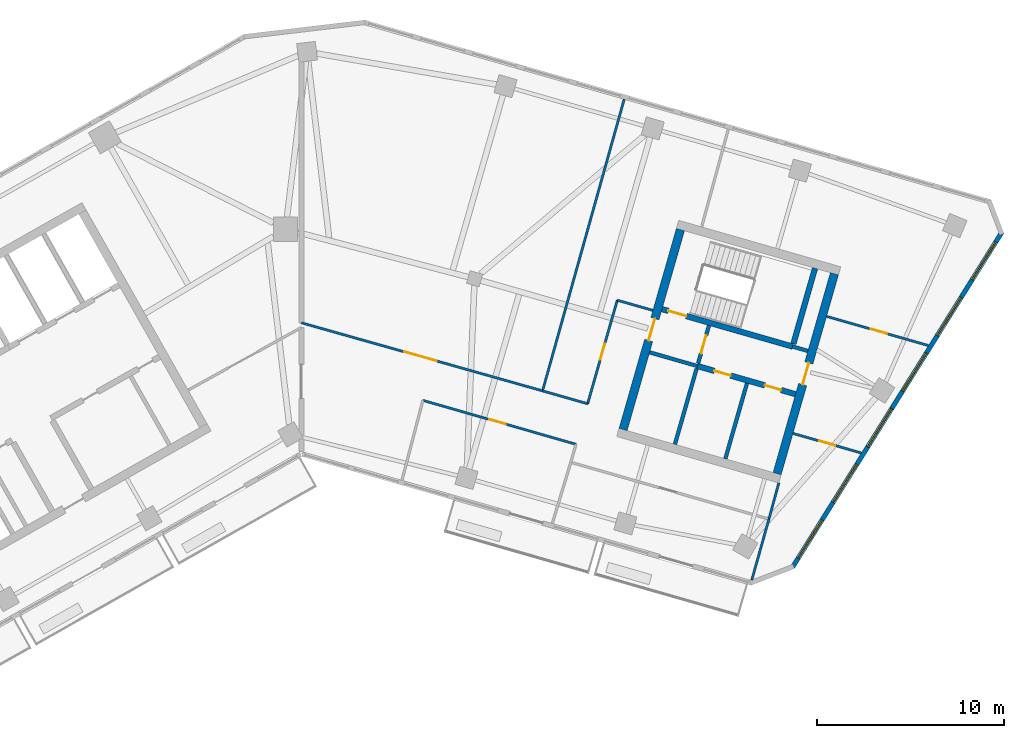
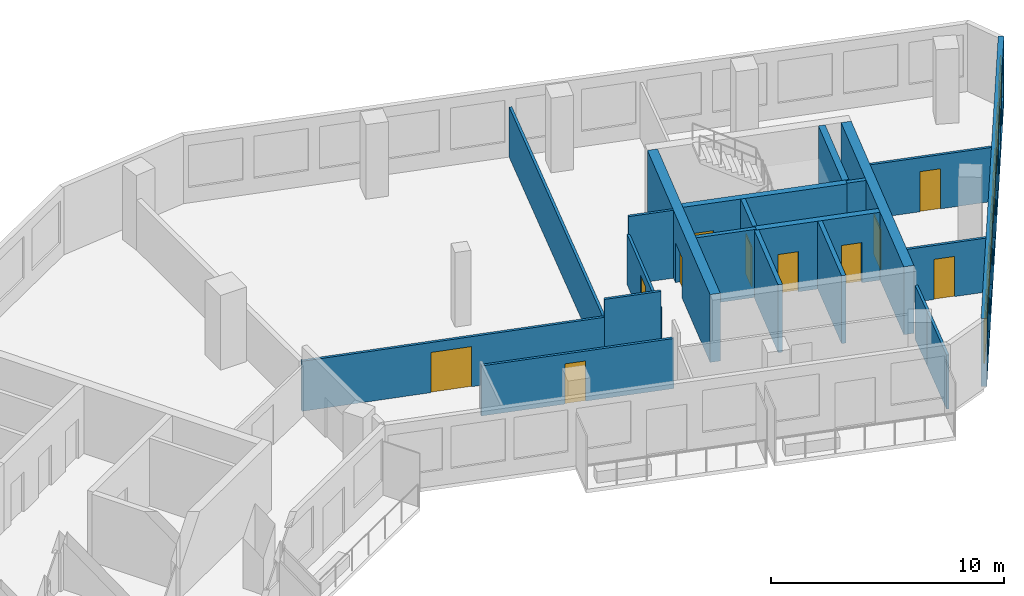
# One storey, part 7 of 11: 21 walls, 11 doors, 6 windows, 17 openings.
"""IFC4 building model written with IfcOpenShell, lengths in metres."""

from ifc_helpers import new_model, si_unit, direction, frame, frame_2d, origin, place, context, subcontext, project, spatial, rectangle, extrude, material, layer, layer_set, type_object, element, fill, save


model = new_model("IFC4")

# Units and contexts
model_context = context("Model", 3, precision=1e-05, world=origin(), true_north=direction((0.0, 1.0)))
body_context = subcontext(model_context, "Body", "Model", "MODEL_VIEW")
ifc_project = project(units=[si_unit("LENGTHUNIT", "METRE"), si_unit("AREAUNIT", "SQUARE_METRE"), si_unit("VOLUMEUNIT", "CUBIC_METRE"), si_unit("PLANEANGLEUNIT", "RADIAN"), si_unit("MASSUNIT", "GRAM", prefix="KILO")], contexts=[model_context])

# Site, building, storey
site_placement = place(None, origin())
site = spatial("IfcSite", under=ifc_project, at=site_placement, CompositionType="ELEMENT")
building_placement = place(site_placement, origin())
building = spatial("IfcBuilding", under=site, at=building_placement, Name="Binnacle Exchange Tower", CompositionType="ELEMENT")
storey_placement = place(building_placement, frame((0.0, 0.0, 227.0)))
storey = spatial("IfcBuildingStorey", under=building, at=storey_placement, Name="L50", CompositionType="ELEMENT", Elevation=227.0)

# Wall
ifc_material_1 = material(Name="Gypsum partition fire rated")
ifc_layer_1 = layer(ifc_material_1, 0.199951171875)
ifc_layer_set_1 = layer_set([ifc_layer_1], Name="Core partition 200")
wall_type_1 = type_object("IfcWallType", Name="Core partition 200", PredefinedType="PARTITIONING", material=ifc_layer_set_1)
wall_1_placement = place(storey_placement, frame((22.623291015625, 47.7392578125, 0.0), z_axis=(0.0, 0.0, 1.0), x_axis=(0.275642273411, 0.961260285827, 0.0)))
element("IfcWall", 1, at=wall_1_placement, inside=storey, type_object=wall_type_1, Name="Core wall CRWD10", PredefinedType="PARTITIONING", context=body_context, shape_type="SweptSolid", body=[
    extrude(rectangle(XDim=4.199951171875, YDim=0.199951171875, at=frame_2d((2.10009765625, 0.0))), origin(), (0.0, 0.0, 1.0), 3.550048828125),
])

# Wall, openings, doors
ifc_material_2 = material(Name="Concrete C70/85", Category="concrete")
ifc_layer_2 = layer(ifc_material_2, 0.300048828125)
ifc_layer_set_2 = layer_set([ifc_layer_2], Name="Core wall - front 300")
wall_type_2 = type_object("IfcWallType", Name="Core wall - front 300", PredefinedType="SOLIDWALL", material=ifc_layer_set_2)
wall_2_placement = place(storey_placement, frame((21.130859375, 52.6923828125, 0.0), z_axis=(0.0, 0.0, 1.0), x_axis=(0.961261488075, -0.275638080722, 0.0)))
wall_2 = element("IfcWall", 2, at=wall_2_placement, inside=storey, type_object=wall_type_2, Name="Core wall CRWD3", PredefinedType="SOLIDWALL", context=body_context, shape_type="SweptSolid", body=[
    extrude(rectangle(XDim=5.449951171875, YDim=0.300048828125, at=frame_2d((2.72509765625, 0.0))), origin(), (0.0, 0.0, 1.0), 3.550048828125),
])
opening_1_placement = place(wall_2_placement, frame((0.949951171875, 0.0, 0.0)))
opening_1 = element("IfcOpeningElement", 3, at=opening_1_placement, cuts=wall_2, Name="Opening DD10", PredefinedType="OPENING", context=body_context, shape_type="SweptSolid", body=[
    extrude(rectangle(XDim=0.89990234375, YDim=2.10009765625, at=frame_2d((0.449951171875, 1.050048828125))), frame((0.0, 0.159912109375, 0.0), z_axis=(0.0, -1.0, 0.0), x_axis=(1.0, 0.0, 0.0)), (0.0, 0.0, 1.0), 0.320068359375),
])
opening_2_placement = place(wall_2_placement, frame((3.75, 0.0, 0.0)))
opening_2 = element("IfcOpeningElement", 4, at=opening_2_placement, cuts=wall_2, Name="Opening DD11", PredefinedType="OPENING", context=body_context, shape_type="SweptSolid", body=[
    extrude(rectangle(XDim=0.89990234375, YDim=2.10009765625, at=frame_2d((0.449951171875, 1.050048828125))), frame((0.0, 0.159912109375, 0.0), z_axis=(0.0, -1.0, 0.0), x_axis=(1.0, 0.0, 0.0)), (0.0, 0.0, 1.0), 0.320068359375),
])
ifc_material_3 = material(Name="Steel door leaf", Category="steel")
door_type_1 = type_object("IfcDoorType", Name="Fire door 900", OperationType="NOTDEFINED", PredefinedType="DOOR", material=ifc_material_3)
door_1_placement = place(opening_1_placement, frame((0.89990234375, 0.0, 0.0), z_axis=(0.0, 0.0, 1.0), x_axis=(-1.0, 0.0, 0.0)))
door_1 = element("IfcDoor", 5, at=door_1_placement, inside=storey, type_object=door_type_1, Name="Core room door COMMS RISER ROOM", OperationType="SINGLE_SWING_RIGHT", OverallHeight=2.10009765625, OverallWidth=0.89990234375, PredefinedType="DOOR", context=body_context, shape_type="SweptSolid", body=[
    extrude(rectangle(XDim=0.89990234375, YDim=2.10009765625, at=frame_2d((0.449951171875, 1.050048828125))), frame((0.0, 0.02490234375, 0.0), z_axis=(0.0, -1.0, 0.0), x_axis=(1.0, 0.0, 0.0)), (0.0, 0.0, 1.0), 0.050048828125),
])
fill(opening_1, door_1)
door_2_placement = place(opening_2_placement, frame((0.89990234375, 0.0, 0.0), z_axis=(0.0, 0.0, 1.0), x_axis=(-1.0, 0.0, 0.0)))
door_2 = element("IfcDoor", 6, at=door_2_placement, inside=storey, type_object=door_type_1, Name="Core room door CLEANERS STORE", OperationType="SINGLE_SWING_LEFT", OverallHeight=2.10009765625, OverallWidth=0.89990234375, PredefinedType="DOOR", context=body_context, shape_type="SweptSolid", body=[
    extrude(rectangle(XDim=0.89990234375, YDim=2.10009765625, at=frame_2d((0.449951171875, 1.050048828125))), frame((0.0, 0.02490234375, 0.0), z_axis=(0.0, -1.0, 0.0), x_axis=(1.0, 0.0, 0.0)), (0.0, 0.0, 1.0), 0.050048828125),
])
fill(opening_2, door_2)

# Wall, opening, door
ifc_layer_3 = layer(ifc_material_2, 0.449951171875)
ifc_layer_set_3 = layer_set([ifc_layer_3], Name="Core wall - outer 450")
wall_type_3 = type_object("IfcWallType", Name="Core wall - outer 450", PredefinedType="SOLIDWALL", material=ifc_layer_set_3)
wall_3_placement = place(storey_placement, frame((17.168212890625, 49.303466796875, 0.0), z_axis=(0.0, 0.0, 1.0), x_axis=(0.275638974822, 0.961261231695, 0.0)))
wall_3 = element("IfcWall", 7, at=wall_3_placement, inside=storey, type_object=wall_type_3, Name="Core wall CRWD7", PredefinedType="SOLIDWALL", context=body_context, shape_type="SweptSolid", body=[
    extrude(rectangle(XDim=11.099853515625, YDim=0.449951171875, at=frame_2d((5.5498046875, 0.0))), origin(), (0.0, 0.0, 1.0), 3.550048828125),
])
opening_3_placement = place(wall_3_placement, frame((4.9501953125, 0.0, 0.0)))
opening_3 = element("IfcOpeningElement", 8, at=opening_3_placement, cuts=wall_3, Name="Opening DD5", PredefinedType="OPENING", context=body_context, shape_type="SweptSolid", body=[
    extrude(rectangle(XDim=1.199951171875, YDim=2.10009765625, at=frame_2d((0.60009765625, 1.050048828125))), frame((0.0, 0.23486328125, 0.0), z_axis=(0.0, -1.0, 0.0), x_axis=(1.0, 0.0, 0.0)), (0.0, 0.0, 1.0), 0.469970703125),
])
door_type_2 = type_object("IfcDoorType", Name="Fire door 1200", OperationType="NOTDEFINED", PredefinedType="DOOR", material=ifc_material_3)
door_3_placement = place(opening_3_placement, origin())
door_3 = element("IfcDoor", 9, at=door_3_placement, inside=storey, type_object=door_type_2, Name="Vestibule exit door VEST-W", OperationType="SINGLE_SWING_RIGHT", OverallHeight=2.10009765625, OverallWidth=1.199951171875, PredefinedType="DOOR", context=body_context, shape_type="SweptSolid", body=[
    extrude(rectangle(XDim=1.199951171875, YDim=2.10009765625, at=frame_2d((0.60009765625, 1.050048828125))), frame((0.0, 0.02490234375, 0.0), z_axis=(0.0, -1.0, 0.0), x_axis=(1.0, 0.0, 0.0)), (0.0, 0.0, 1.0), 0.050048828125),
])
fill(opening_3, door_3)

wall_4_placement = place(storey_placement, frame((25.386962890625, 46.94677734375, 0.0), z_axis=(0.0, 0.0, 1.0), x_axis=(0.275638974822, 0.961261231695, 0.0)))
wall_4 = element("IfcWall", 10, at=wall_4_placement, inside=storey, type_object=wall_type_3, Name="Core wall CRWD12", PredefinedType="SOLIDWALL", context=body_context, shape_type="SweptSolid", body=[
    extrude(rectangle(XDim=11.099853515625, YDim=0.449951171875, at=frame_2d((5.5498046875, 0.0))), origin(), (0.0, 0.0, 1.0), 3.550048828125),
])
opening_4_placement = place(wall_4_placement, frame((4.949951171875, 0.0, 0.0)))
opening_4 = element("IfcOpeningElement", 11, at=opening_4_placement, cuts=wall_4, Name="Opening DD6", PredefinedType="OPENING", context=body_context, shape_type="SweptSolid", body=[
    extrude(rectangle(XDim=1.199951171875, YDim=2.10009765625, at=frame_2d((0.60009765625, 1.050048828125))), frame((0.0, 0.23486328125, 0.0), z_axis=(0.0, -1.0, 0.0), x_axis=(1.0, 0.0, 0.0)), (0.0, 0.0, 1.0), 0.469970703125),
])
door_4_placement = place(opening_4_placement, frame((1.199951171875, 0.0, 0.0), z_axis=(0.0, 0.0, 1.0), x_axis=(-1.0, 0.0, 0.0)))
door_4 = element("IfcDoor", 12, at=door_4_placement, inside=storey, type_object=door_type_2, Name="Core passage exit door", OperationType="SINGLE_SWING_RIGHT", OverallHeight=2.10009765625, OverallWidth=1.199951171875, PredefinedType="DOOR", context=body_context, shape_type="SweptSolid", body=[
    extrude(rectangle(XDim=1.199951171875, YDim=2.10009765625, at=frame_2d((0.60009765625, 1.050048828125))), frame((0.0, 0.02490234375, 0.0), z_axis=(0.0, -1.0, 0.0), x_axis=(1.0, 0.0, 0.0)), (0.0, 0.0, 1.0), 0.050048828125),
])
fill(opening_4, door_4)

ifc_layer_4 = layer(ifc_material_2, 0.300048828125)
ifc_layer_set_4 = layer_set([ifc_layer_4], Name="Core wall - stair 300")
wall_type_4 = type_object("IfcWallType", Name="Core wall - stair 300", PredefinedType="SOLIDWALL", material=ifc_layer_set_4)
wall_5_placement = place(storey_placement, frame((19.2451171875, 55.72998046875, 0.0), z_axis=(0.0, 0.0, 1.0), x_axis=(0.961263007877, -0.275632780503, 0.0)))
wall_5 = element("IfcWall", 13, at=wall_5_placement, inside=storey, type_object=wall_type_4, Name="Core wall CRWD4", PredefinedType="SOLIDWALL", context=body_context, shape_type="SweptSolid", body=[
    extrude(rectangle(XDim=7.249755859375, YDim=0.300048828125, at=frame_2d((3.625, 0.0))), origin(), (0.0, 0.0, 1.0), 3.550048828125),
])
opening_5_placement = place(wall_5_placement, frame((0.35009765625, 0.0, 0.0)))
opening_5 = element("IfcOpeningElement", 14, at=opening_5_placement, cuts=wall_5, Name="Opening DD1", PredefinedType="OPENING", context=body_context, shape_type="SweptSolid", body=[
    extrude(rectangle(XDim=1.0, YDim=2.10009765625, at=frame_2d((0.5, 1.050048828125))), frame((0.0, 0.159912109375, 0.0), z_axis=(0.0, -1.0, 0.0), x_axis=(1.0, 0.0, 0.0)), (0.0, 0.0, 1.0), 0.320068359375),
])
door_type_3 = type_object("IfcDoorType", Name="Fire door 1000", OperationType="NOTDEFINED", PredefinedType="DOOR", material=ifc_material_3)
door_5_placement = place(opening_5_placement, origin())
door_5 = element("IfcDoor", 15, at=door_5_placement, inside=storey, type_object=door_type_3, Name="Stair door ST-D1", OperationType="SINGLE_SWING_LEFT", OverallHeight=2.10009765625, OverallWidth=1.0, PredefinedType="DOOR", context=body_context, shape_type="SweptSolid", body=[
    extrude(rectangle(XDim=1.0, YDim=2.10009765625, at=frame_2d((0.5, 1.050048828125))), frame((0.0, 0.02490234375, 0.0), z_axis=(0.0, -1.0, 0.0), x_axis=(1.0, 0.0, 0.0)), (0.0, 0.0, 1.0), 0.050048828125),
])
fill(opening_5, door_5)

# Wall
wall_6_placement = place(storey_placement, frame((26.255615234375, 53.875732421875, 0.0), z_axis=(0.0, 0.0, 1.0), x_axis=(0.275588560745, 0.96127568636, 0.0)))
element("IfcWall", 16, at=wall_6_placement, inside=storey, type_object=wall_type_4, Name="Core wall CRWD11", PredefinedType="SOLIDWALL", context=body_context, shape_type="SweptSolid", body=[
    extrude(rectangle(XDim=4.199951171875, YDim=0.300048828125, at=frame_2d((2.10009765625, 0.0))), origin(), (0.0, 0.0, 1.0), 3.550048828125),
])

# Wall, openings, windows
ifc_material_4 = material(Name="Bronze aluminium cladding", Category="aluminium")
ifc_layer_5 = layer(ifc_material_4, 0.25)
ifc_layer_set_5 = layer_set([ifc_layer_5], Name="External wall - window wall 250")
wall_type_5 = type_object("IfcWallType", Name="External wall - window wall 250", PredefinedType="STANDARD", material=ifc_layer_set_5)
wall_7_placement = place(storey_placement, frame((37.392333984375, 59.84033203125, 0.0), z_axis=(0.0, 0.0, 1.0), x_axis=(-0.529919909431, -0.848047692992, 0.0)))
wall_7 = element("IfcWall", 17, at=wall_7_placement, inside=storey, type_object=wall_type_5, Name="External wall EW-G04 L50", PredefinedType="STANDARD", context=body_context, shape_type="SweptSolid", body=[
    extrude(rectangle(XDim=21.104248046875, YDim=0.25, at=frame_2d((10.55224609375, 0.0))), origin(), (0.0, 0.0, 1.0), 3.550048828125),
])
opening_6_placement = place(wall_7_placement, frame((18.1123046875, 0.0, 0.800048828125)))
opening_6 = element("IfcOpeningElement", 18, at=opening_6_placement, cuts=wall_7, Name="Opening WR1", PredefinedType="OPENING", context=body_context, shape_type="SweptSolid", body=[
    extrude(rectangle(XDim=2.39990234375, YDim=2.199951171875, at=frame_2d((1.199951171875, 1.10009765625))), frame((0.0, 0.135009765625, 0.0), z_axis=(0.0, -1.0, 0.0), x_axis=(1.0, 0.0, 0.0)), (0.0, 0.0, 1.0), 0.27001953125),
])
opening_7_placement = place(wall_7_placement, frame((14.6123046875, 0.0, 0.800048828125)))
opening_7 = element("IfcOpeningElement", 19, at=opening_7_placement, cuts=wall_7, Name="Opening WR1", PredefinedType="OPENING", context=body_context, shape_type="SweptSolid", body=[
    extrude(rectangle(XDim=2.39990234375, YDim=2.199951171875, at=frame_2d((1.199951171875, 1.10009765625))), frame((0.0, 0.135009765625, 0.0), z_axis=(0.0, -1.0, 0.0), x_axis=(1.0, 0.0, 0.0)), (0.0, 0.0, 1.0), 0.27001953125),
])
opening_8_placement = place(wall_7_placement, frame((11.1123046875, 0.0, 0.800048828125)))
opening_8 = element("IfcOpeningElement", 20, at=opening_8_placement, cuts=wall_7, Name="Opening WR1", PredefinedType="OPENING", context=body_context, shape_type="SweptSolid", body=[
    extrude(rectangle(XDim=2.39990234375, YDim=2.199951171875, at=frame_2d((1.199951171875, 1.10009765625))), frame((0.0, 0.135009765625, 0.0), z_axis=(0.0, -1.0, 0.0), x_axis=(1.0, 0.0, 0.0)), (0.0, 0.0, 1.0), 0.27001953125),
])
opening_9_placement = place(wall_7_placement, frame((7.6123046875, 0.0, 0.800048828125)))
opening_9 = element("IfcOpeningElement", 21, at=opening_9_placement, cuts=wall_7, Name="Opening WR1", PredefinedType="OPENING", context=body_context, shape_type="SweptSolid", body=[
    extrude(rectangle(XDim=2.39990234375, YDim=2.199951171875, at=frame_2d((1.199951171875, 1.10009765625))), frame((0.0, 0.135009765625, 0.0), z_axis=(0.0, -1.0, 0.0), x_axis=(1.0, 0.0, 0.0)), (0.0, 0.0, 1.0), 0.27001953125),
])
opening_10_placement = place(wall_7_placement, frame((4.1123046875, 0.0, 0.800048828125)))
opening_10 = element("IfcOpeningElement", 22, at=opening_10_placement, cuts=wall_7, Name="Opening WR1", PredefinedType="OPENING", context=body_context, shape_type="SweptSolid", body=[
    extrude(rectangle(XDim=2.39990234375, YDim=2.199951171875, at=frame_2d((1.199951171875, 1.10009765625))), frame((0.0, 0.135009765625, 0.0), z_axis=(0.0, -1.0, 0.0), x_axis=(1.0, 0.0, 0.0)), (0.0, 0.0, 1.0), 0.27001953125),
])
opening_11_placement = place(wall_7_placement, frame((0.6123046875, 0.0, 0.800048828125)))
opening_11 = element("IfcOpeningElement", 23, at=opening_11_placement, cuts=wall_7, Name="Opening WR1", PredefinedType="OPENING", context=body_context, shape_type="SweptSolid", body=[
    extrude(rectangle(XDim=2.39990234375, YDim=2.199951171875, at=frame_2d((1.199951171875, 1.10009765625))), frame((0.0, 0.135009765625, 0.0), z_axis=(0.0, -1.0, 0.0), x_axis=(1.0, 0.0, 0.0)), (0.0, 0.0, 1.0), 0.27001953125),
])
ifc_material_5 = material(Name="Bronze anodised aluminium frame", Category="aluminium")
window_type = type_object("IfcWindowType", Name="WR1 WINDOW 2400x2200", PartitioningType="SINGLE_PANEL", PredefinedType="WINDOW", material=ifc_material_5)
window_1_placement = place(opening_6_placement, origin())
window_1 = element("IfcWindow", 24, at=window_1_placement, inside=storey, type_object=window_type, Name="Window WR1 L50", OverallHeight=2.199951171875, OverallWidth=2.39990234375, PartitioningType="SINGLE_PANEL", PredefinedType="WINDOW", context=body_context, shape_type="SweptSolid", body=[
    extrude(rectangle(XDim=2.39990234375, YDim=2.199951171875, at=frame_2d((1.199951171875, 1.10009765625))), frame((0.0, 0.030029296875, 0.0), z_axis=(0.0, -1.0, 0.0), x_axis=(1.0, 0.0, 0.0)), (0.0, 0.0, 1.0), 0.06005859375),
])
fill(opening_6, window_1)
window_2_placement = place(opening_7_placement, origin())
window_2 = element("IfcWindow", 25, at=window_2_placement, inside=storey, type_object=window_type, Name="Window WR1 L50", OverallHeight=2.199951171875, OverallWidth=2.39990234375, PartitioningType="SINGLE_PANEL", PredefinedType="WINDOW", context=body_context, shape_type="SweptSolid", body=[
    extrude(rectangle(XDim=2.39990234375, YDim=2.199951171875, at=frame_2d((1.199951171875, 1.10009765625))), frame((0.0, 0.030029296875, 0.0), z_axis=(0.0, -1.0, 0.0), x_axis=(1.0, 0.0, 0.0)), (0.0, 0.0, 1.0), 0.06005859375),
])
fill(opening_7, window_2)
window_3_placement = place(opening_8_placement, origin())
window_3 = element("IfcWindow", 26, at=window_3_placement, inside=storey, type_object=window_type, Name="Window WR1 L50", OverallHeight=2.199951171875, OverallWidth=2.39990234375, PartitioningType="SINGLE_PANEL", PredefinedType="WINDOW", context=body_context, shape_type="SweptSolid", body=[
    extrude(rectangle(XDim=2.39990234375, YDim=2.199951171875, at=frame_2d((1.199951171875, 1.10009765625))), frame((0.0, 0.030029296875, 0.0), z_axis=(0.0, -1.0, 0.0), x_axis=(1.0, 0.0, 0.0)), (0.0, 0.0, 1.0), 0.06005859375),
])
fill(opening_8, window_3)
window_4_placement = place(opening_9_placement, origin())
window_4 = element("IfcWindow", 27, at=window_4_placement, inside=storey, type_object=window_type, Name="Window WR1 L50", OverallHeight=2.199951171875, OverallWidth=2.39990234375, PartitioningType="SINGLE_PANEL", PredefinedType="WINDOW", context=body_context, shape_type="SweptSolid", body=[
    extrude(rectangle(XDim=2.39990234375, YDim=2.199951171875, at=frame_2d((1.199951171875, 1.10009765625))), frame((0.0, 0.030029296875, 0.0), z_axis=(0.0, -1.0, 0.0), x_axis=(1.0, 0.0, 0.0)), (0.0, 0.0, 1.0), 0.06005859375),
])
fill(opening_9, window_4)
window_5_placement = place(opening_10_placement, origin())
window_5 = element("IfcWindow", 28, at=window_5_placement, inside=storey, type_object=window_type, Name="Window WR1 L50", OverallHeight=2.199951171875, OverallWidth=2.39990234375, PartitioningType="SINGLE_PANEL", PredefinedType="WINDOW", context=body_context, shape_type="SweptSolid", body=[
    extrude(rectangle(XDim=2.39990234375, YDim=2.199951171875, at=frame_2d((1.199951171875, 1.10009765625))), frame((0.0, 0.030029296875, 0.0), z_axis=(0.0, -1.0, 0.0), x_axis=(1.0, 0.0, 0.0)), (0.0, 0.0, 1.0), 0.06005859375),
])
fill(opening_10, window_5)
window_6_placement = place(opening_11_placement, origin())
window_6 = element("IfcWindow", 29, at=window_6_placement, inside=storey, type_object=window_type, Name="Window WR1 L50", OverallHeight=2.199951171875, OverallWidth=2.39990234375, PartitioningType="SINGLE_PANEL", PredefinedType="WINDOW", context=body_context, shape_type="SweptSolid", body=[
    extrude(rectangle(XDim=2.39990234375, YDim=2.199951171875, at=frame_2d((1.199951171875, 1.10009765625))), frame((0.0, 0.030029296875, 0.0), z_axis=(0.0, -1.0, 0.0), x_axis=(1.0, 0.0, 0.0)), (0.0, 0.0, 1.0), 0.06005859375),
])
fill(opening_11, window_6)

# Wall, opening, door
ifc_material_6 = material(Name="Masonry block wall", Category="masonry")
ifc_layer_6 = layer(ifc_material_6, 0.199951171875)
ifc_layer_set_6 = layer_set([ifc_layer_6], Name="Fire wall - vestibule 200")
wall_type_6 = type_object("IfcWallType", Name="Fire wall - vestibule 200", PredefinedType="PARTITIONING", material=ifc_layer_set_6)
wall_8_placement = place(storey_placement, frame((21.172119140625, 52.836669921875, 0.0), z_axis=(0.0, 0.0, 1.0), x_axis=(0.275657676022, 0.961255868981, 0.0)))
wall_8 = element("IfcWall", 30, at=wall_8_placement, inside=storey, type_object=wall_type_6, Name="Core wall CRWD9", PredefinedType="PARTITIONING", context=body_context, shape_type="SweptSolid", body=[
    extrude(rectangle(XDim=2.099853515625, YDim=0.199951171875, at=frame_2d((1.0498046875, 0.0))), origin(), (0.0, 0.0, 1.0), 3.550048828125),
])
opening_12_placement = place(wall_8_placement, frame((0.550048828125, 0.0, 0.0)))
opening_12 = element("IfcOpeningElement", 31, at=opening_12_placement, cuts=wall_8, Name="Opening DD3", PredefinedType="OPENING", context=body_context, shape_type="SweptSolid", body=[
    extrude(rectangle(XDim=1.0, YDim=2.10009765625, at=frame_2d((0.5, 1.050048828125))), frame((0.0, 0.10986328125, 0.0), z_axis=(0.0, -1.0, 0.0), x_axis=(1.0, 0.0, 0.0)), (0.0, 0.0, 1.0), 0.219970703125),
])
door_6_placement = place(opening_12_placement, origin())
door_6 = element("IfcDoor", 32, at=door_6_placement, inside=storey, type_object=door_type_3, Name="Vestibule door VEST-W", OperationType="SINGLE_SWING_RIGHT", OverallHeight=2.10009765625, OverallWidth=1.0, PredefinedType="DOOR", context=body_context, shape_type="SweptSolid", body=[
    extrude(rectangle(XDim=1.0, YDim=2.10009765625, at=frame_2d((0.5, 1.050048828125))), frame((0.0, 0.02490234375, 0.0), z_axis=(0.0, -1.0, 0.0), x_axis=(1.0, 0.0, 0.0)), (0.0, 0.0, 1.0), 0.050048828125),
])
fill(opening_12, door_6)

ifc_material_7 = material(Name="Gypsum partition")
ifc_layer_7 = layer(ifc_material_7, 0.125)
ifc_layer_set_7 = layer_set([ifc_layer_7], Name="Partition 125")
wall_type_7 = type_object("IfcWallType", Name="Partition 125", PredefinedType="PARTITIONING", material=ifc_layer_set_7)
wall_9_placement = place(storey_placement, frame((0.0, 55.0, 0.0), z_axis=(0.0, 0.0, 1.0), x_axis=(0.962402937884, -0.271625818271, 0.0)))
wall_9 = element("IfcWall", 33, at=wall_9_placement, inside=storey, type_object=wall_type_7, Name="Partition W24", PredefinedType="PARTITIONING", context=body_context, shape_type="SweptSolid", body=[
    extrude(rectangle(XDim=13.37158203125, YDim=0.125, at=frame_2d((6.685791015625, 0.0))), origin(), (0.0, 0.0, 1.0), 2.617919921875),
])
opening_13_placement = place(wall_9_placement, frame((5.699951171875, 0.0, 0.0)))
opening_13 = element("IfcOpeningElement", 34, at=opening_13_placement, cuts=wall_9, Name="Opening DL48-10", PredefinedType="OPENING", context=body_context, shape_type="SweptSolid", body=[
    extrude(rectangle(XDim=1.800048828125, YDim=2.10009765625, at=frame_2d((0.89990234375, 1.050048828125))), frame((0.0, 0.072509765625, 0.0), z_axis=(0.0, -1.0, 0.0), x_axis=(1.0, 0.0, 0.0)), (0.0, 0.0, 1.0), 0.14501953125),
])
ifc_material_8 = material(Name="Timber door leaf", Category="wood")
door_type_4 = type_object("IfcDoorType", Name="Double door 1800", OperationType="NOTDEFINED", PredefinedType="DOOR", material=ifc_material_8)
door_7_placement = place(opening_13_placement, origin())
door_7 = element("IfcDoor", 35, at=door_7_placement, inside=storey, type_object=door_type_4, Name="Door DL48-10", OperationType="DOUBLE_DOOR_SINGLE_SWING", OverallHeight=2.10009765625, OverallWidth=1.800048828125, PredefinedType="DOOR", context=body_context, shape_type="SweptSolid", body=[
    extrude(rectangle(XDim=1.800048828125, YDim=2.10009765625, at=frame_2d((0.89990234375, 1.050048828125))), frame((0.0, 0.02490234375, 0.0), z_axis=(0.0, -1.0, 0.0), x_axis=(1.0, 0.0, 0.0)), (0.0, 0.0, 1.0), 0.050048828125),
])
fill(opening_13, door_7)

wall_10_placement = place(storey_placement, frame((6.48193359375, 50.85888671875, 0.0), z_axis=(0.0, 0.0, 1.0), x_axis=(0.961261196169, -0.275639098713, 0.0)))
wall_10 = element("IfcWall", 36, at=wall_10_placement, inside=storey, type_object=wall_type_7, Name="Partition W26", PredefinedType="PARTITIONING", context=body_context, shape_type="SweptSolid", body=[
    extrude(rectangle(XDim=8.49951171875, YDim=0.125, at=frame_2d((4.249755859375, 0.0))), origin(), (0.0, 0.0, 1.0), 2.617919921875),
])
opening_14_placement = place(wall_10_placement, frame((3.699951171875, 0.0, 0.0)))
opening_14 = element("IfcOpeningElement", 37, at=opening_14_placement, cuts=wall_10, Name="Opening DL48-12", PredefinedType="OPENING", context=body_context, shape_type="SweptSolid", body=[
    extrude(rectangle(XDim=0.89990234375, YDim=2.10009765625, at=frame_2d((0.449951171875, 1.050048828125))), frame((0.0, 0.072509765625, 0.0), z_axis=(0.0, -1.0, 0.0), x_axis=(1.0, 0.0, 0.0)), (0.0, 0.0, 1.0), 0.14501953125),
])
door_type_5 = type_object("IfcDoorType", Name="Door 900", OperationType="NOTDEFINED", PredefinedType="DOOR", material=ifc_material_8)
door_8_placement = place(opening_14_placement, frame((0.89990234375, 0.0, 0.0), z_axis=(0.0, 0.0, 1.0), x_axis=(-1.0, 0.0, 0.0)))
door_8 = element("IfcDoor", 38, at=door_8_placement, inside=storey, type_object=door_type_5, Name="Door DL48-12", OperationType="SINGLE_SWING_RIGHT", OverallHeight=2.10009765625, OverallWidth=0.89990234375, PredefinedType="DOOR", context=body_context, shape_type="SweptSolid", body=[
    extrude(rectangle(XDim=0.89990234375, YDim=2.10009765625, at=frame_2d((0.449951171875, 1.050048828125))), frame((0.0, 0.02490234375, 0.0), z_axis=(0.0, -1.0, 0.0), x_axis=(1.0, 0.0, 0.0)), (0.0, 0.0, 1.0), 0.050048828125),
])
fill(opening_14, door_8)

# Walls
wall_11_placement = place(storey_placement, frame((12.868896484375, 51.367919921875, 0.0), z_axis=(0.0, 0.0, 1.0), x_axis=(0.961302601161, -0.275494662382, 0.0)))
element("IfcWall", 39, at=wall_11_placement, inside=storey, type_object=wall_type_7, Name="Partition W27", PredefinedType="PARTITIONING", context=body_context, shape_type="SweptSolid", body=[
    extrude(rectangle(XDim=2.500732421875, YDim=0.125, at=frame_2d((1.25048828125, 0.0))), origin(), (0.0, 0.0, 1.0), 3.550048828125),
])
wall_12_placement = place(storey_placement, frame((12.868896484375, 51.367919921875, 0.0), z_axis=(0.0, 0.0, 1.0), x_axis=(0.269547555311, 0.962987079574, 0.0)))
element("IfcWall", 40, at=wall_12_placement, inside=storey, type_object=wall_type_7, Name="Partition W28", PredefinedType="PARTITIONING", context=body_context, shape_type="SweptSolid", body=[
    extrude(rectangle(XDim=16.1611328125, YDim=0.125, at=frame_2d((8.08056640625, 0.0))), origin(), (0.0, 0.0, 1.0), 2.617919921875),
])

# Wall, opening, door
wall_13_placement = place(storey_placement, frame((15.27294921875, 50.678955078125, 0.0), z_axis=(0.0, 0.0, 1.0), x_axis=(0.275494973205, 0.961302512084, 0.0)))
wall_13 = element("IfcWall", 41, at=wall_13_placement, inside=storey, type_object=wall_type_7, Name="Partition W32", PredefinedType="PARTITIONING", context=body_context, shape_type="SweptSolid", body=[
    extrude(rectangle(XDim=5.74951171875, YDim=0.125, at=frame_2d((2.874755859375, 0.0))), origin(), (0.0, 0.0, 1.0), 2.617919921875),
])
opening_15_placement = place(wall_13_placement, frame((2.449951171875, 0.0, 0.0)))
opening_15 = element("IfcOpeningElement", 42, at=opening_15_placement, cuts=wall_13, Name="Opening DL48-11", PredefinedType="OPENING", context=body_context, shape_type="SweptSolid", body=[
    extrude(rectangle(XDim=0.89990234375, YDim=2.10009765625, at=frame_2d((0.449951171875, 1.050048828125))), frame((0.0, 0.072509765625, 0.0), z_axis=(0.0, -1.0, 0.0), x_axis=(1.0, 0.0, 0.0)), (0.0, 0.0, 1.0), 0.14501953125),
])
door_9_placement = place(opening_15_placement, origin())
door_9 = element("IfcDoor", 43, at=door_9_placement, inside=storey, type_object=door_type_5, Name="Door DL48-11", OperationType="SINGLE_SWING_RIGHT", OverallHeight=2.10009765625, OverallWidth=0.89990234375, PredefinedType="DOOR", context=body_context, shape_type="SweptSolid", body=[
    extrude(rectangle(XDim=0.89990234375, YDim=2.10009765625, at=frame_2d((0.449951171875, 1.050048828125))), frame((0.0, 0.02490234375, 0.0), z_axis=(0.0, -1.0, 0.0), x_axis=(1.0, 0.0, 0.0)), (0.0, 0.0, 1.0), 0.050048828125),
])
fill(opening_15, door_9)

# Walls
wall_14_placement = place(storey_placement, frame((16.85693359375, 56.2060546875, 0.0), z_axis=(0.0, 0.0, 1.0), x_axis=(0.961383985066, -0.275210525341, 0.0)))
element("IfcWall", 44, at=wall_14_placement, inside=storey, type_object=wall_type_7, Name="Partition W33", PredefinedType="PARTITIONING", context=body_context, shape_type="SweptSolid", body=[
    extrude(rectangle(XDim=1.9765625, YDim=0.125, at=frame_2d((0.98828125, 0.0))), origin(), (0.0, 0.0, 1.0), 3.550048828125),
])
wall_15_placement = place(storey_placement, frame((24.035888671875, 41.27001953125, 0.0), z_axis=(0.0, 0.0, 1.0), x_axis=(0.270787421954, 0.962639170256, 0.0)))
element("IfcWall", 45, at=wall_15_placement, inside=storey, type_object=wall_type_7, Name="Partition W35", PredefinedType="PARTITIONING", context=body_context, shape_type="SweptSolid", body=[
    extrude(rectangle(XDim=3.379150390625, YDim=0.125, at=frame_2d((1.689453125, 0.0))), origin(), (0.0, 0.0, 1.0), 2.822021484375),
])
wall_16_placement = place(storey_placement, frame((24.950927734375, 44.52294921875, 0.0), z_axis=(0.0, 0.0, 1.0), x_axis=(0.264046927145, 0.964509834198, 0.0)))
element("IfcWall", 46, at=wall_16_placement, inside=storey, type_object=wall_type_7, Name="Partition W36", PredefinedType="PARTITIONING", context=body_context, shape_type="SweptSolid", body=[
    extrude(rectangle(XDim=2.0, YDim=0.125, at=frame_2d((1.0, 0.0))), origin(), (0.0, 0.0, 1.0), 2.822021484375),
])

# Wall, opening, door
wall_17_placement = place(storey_placement, frame((26.237060546875, 49.095947265625, 0.0), z_axis=(0.0, 0.0, 1.0), x_axis=(0.961285271066, -0.275555126304, 0.0)))
wall_17 = element("IfcWall", 47, at=wall_17_placement, inside=storey, type_object=wall_type_7, Name="Partition W37", PredefinedType="PARTITIONING", context=body_context, shape_type="SweptSolid", body=[
    extrude(rectangle(XDim=3.78857421875, YDim=0.125, at=frame_2d((1.894287109375, 0.0))), origin(), (0.0, 0.0, 1.0), 2.822021484375),
])
opening_16_placement = place(wall_17_placement, frame((1.449951171875, 0.0, 0.0)))
opening_16 = element("IfcOpeningElement", 48, at=opening_16_placement, cuts=wall_17, Name="Opening DL48-15", PredefinedType="OPENING", context=body_context, shape_type="SweptSolid", body=[
    extrude(rectangle(XDim=0.89990234375, YDim=2.10009765625, at=frame_2d((0.449951171875, 1.050048828125))), frame((0.0, 0.072509765625, 0.0), z_axis=(0.0, -1.0, 0.0), x_axis=(1.0, 0.0, 0.0)), (0.0, 0.0, 1.0), 0.14501953125),
])
door_10_placement = place(opening_16_placement, frame((0.89990234375, 0.0, 0.0), z_axis=(0.0, 0.0, 1.0), x_axis=(-1.0, 0.0, 0.0)))
door_10 = element("IfcDoor", 49, at=door_10_placement, inside=storey, type_object=door_type_5, Name="Door DL48-15", OperationType="SINGLE_SWING_LEFT", OverallHeight=2.10009765625, OverallWidth=0.89990234375, PredefinedType="DOOR", context=body_context, shape_type="SweptSolid", body=[
    extrude(rectangle(XDim=0.89990234375, YDim=2.10009765625, at=frame_2d((0.449951171875, 1.050048828125))), frame((0.0, 0.02490234375, 0.0), z_axis=(0.0, -1.0, 0.0), x_axis=(1.0, 0.0, 0.0)), (0.0, 0.0, 1.0), 0.050048828125),
])
fill(opening_16, door_10)

wall_18_placement = place(storey_placement, frame((28.029052734375, 55.343994140625, 0.0), z_axis=(0.0, 0.0, 1.0), x_axis=(0.961249621014, -0.275679462603, 0.0)))
wall_18 = element("IfcWall", 50, at=wall_18_placement, inside=storey, type_object=wall_type_7, Name="Partition W38", PredefinedType="PARTITIONING", context=body_context, shape_type="SweptSolid", body=[
    extrude(rectangle(XDim=5.65185546875, YDim=0.125, at=frame_2d((2.825927734375, 0.0))), origin(), (0.0, 0.0, 1.0), 2.830078125),
])
opening_17_placement = place(wall_18_placement, frame((2.449951171875, 0.0, 0.0)))
opening_17 = element("IfcOpeningElement", 51, at=opening_17_placement, cuts=wall_18, Name="Opening DL48-14", PredefinedType="OPENING", context=body_context, shape_type="SweptSolid", body=[
    extrude(rectangle(XDim=0.89990234375, YDim=2.10009765625, at=frame_2d((0.449951171875, 1.050048828125))), frame((0.0, 0.072509765625, 0.0), z_axis=(0.0, -1.0, 0.0), x_axis=(1.0, 0.0, 0.0)), (0.0, 0.0, 1.0), 0.14501953125),
])
door_11_placement = place(opening_17_placement, origin())
door_11 = element("IfcDoor", 52, at=door_11_placement, inside=storey, type_object=door_type_5, Name="Door DL48-14", OperationType="SINGLE_SWING_RIGHT", OverallHeight=2.10009765625, OverallWidth=0.89990234375, PredefinedType="DOOR", context=body_context, shape_type="SweptSolid", body=[
    extrude(rectangle(XDim=0.89990234375, YDim=2.10009765625, at=frame_2d((0.449951171875, 1.050048828125))), frame((0.0, 0.02490234375, 0.0), z_axis=(0.0, -1.0, 0.0), x_axis=(1.0, 0.0, 0.0)), (0.0, 0.0, 1.0), 0.050048828125),
])
fill(opening_17, door_11)

# Walls
ifc_layer_8 = layer(ifc_material_6, 0.199951171875)
ifc_layer_set_8 = layer_set([ifc_layer_8], Name="Riser wall 200")
wall_type_8 = type_object("IfcWallType", Name="Riser wall 200", PredefinedType="SOLIDWALL", material=ifc_layer_set_8)
wall_19_placement = place(storey_placement, frame((18.58349609375, 53.4228515625, 0.0), z_axis=(0.0, 0.0, 1.0), x_axis=(0.961259287968, -0.275645753268, 0.0)))
element("IfcWall", 53, at=wall_19_placement, inside=storey, type_object=wall_type_8, Name="Core wall CRWD2", PredefinedType="SOLIDWALL", context=body_context, shape_type="SweptSolid", body=[
    extrude(rectangle(XDim=2.650146484375, YDim=0.199951171875, at=frame_2d((1.3251953125, 0.0))), origin(), (0.0, 0.0, 1.0), 3.550048828125),
])
wall_20_placement = place(storey_placement, frame((26.214111328125, 53.731689453125, 0.0), z_axis=(0.0, 0.0, 1.0), x_axis=(0.961241665642, -0.275707200184, 0.0)))
element("IfcWall", 54, at=wall_20_placement, inside=storey, type_object=wall_type_8, Name="Core wall CRWD5", PredefinedType="SOLIDWALL", context=body_context, shape_type="SweptSolid", body=[
    extrude(rectangle(XDim=0.85009765625, YDim=0.199951171875, at=frame_2d((0.425048828125, 0.0))), origin(), (0.0, 0.0, 1.0), 3.550048828125),
])
wall_21_placement = place(storey_placement, frame((19.931884765625, 48.510986328125, 0.0), z_axis=(0.0, 0.0, 1.0), x_axis=(0.275642273411, 0.961260285827, 0.0)))
element("IfcWall", 55, at=wall_21_placement, inside=storey, type_object=wall_type_8, Name="Core wall CRWD8", PredefinedType="SOLIDWALL", context=body_context, shape_type="SweptSolid", body=[
    extrude(rectangle(XDim=4.199951171875, YDim=0.199951171875, at=frame_2d((2.10009765625, 0.0))), origin(), (0.0, 0.0, 1.0), 3.550048828125),
])

save(model, "model.ifc")
